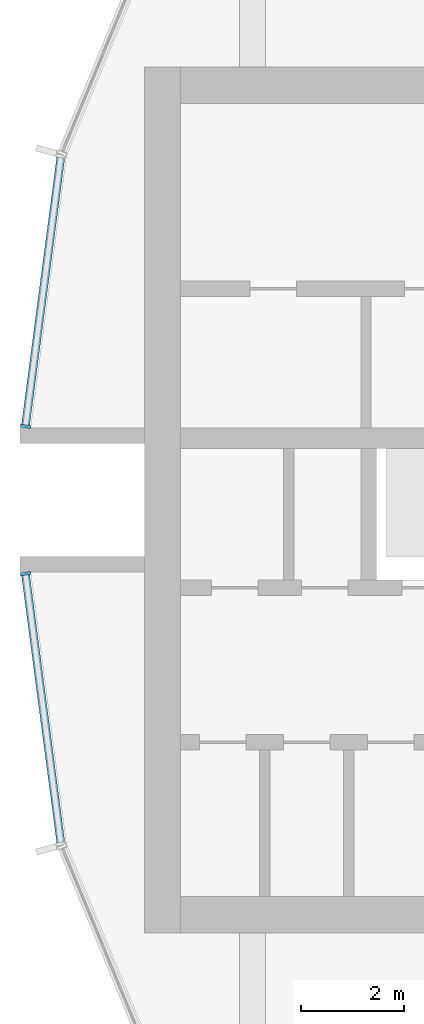
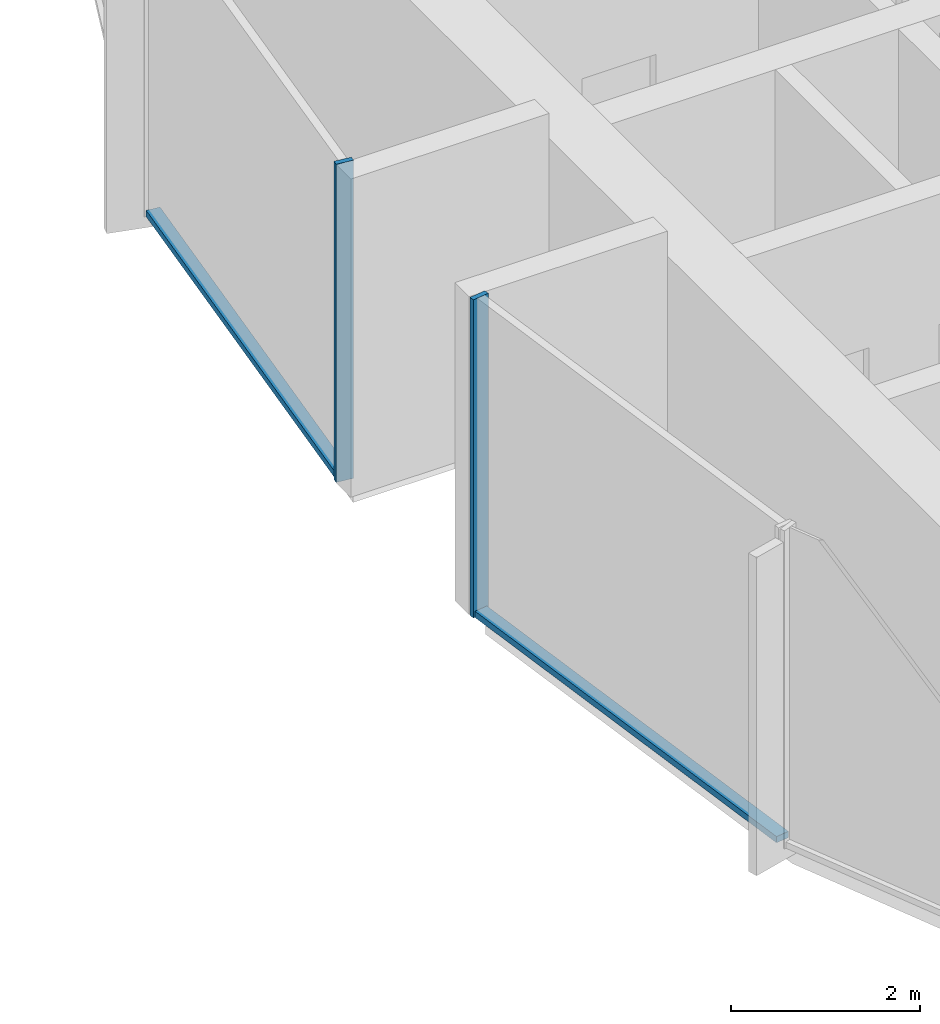
# One storey, part 3 of 15: 4 members, 2 elements without a shape of their own.
"""IFC4 building model written with IfcOpenShell, lengths in metres."""

from ifc_helpers import new_model, si_unit, direction, frame, origin, origin_2d, place, context, subcontext, project, spatial, rectangle, extrude, material, layer, layer_set, material_profile, profile_set, type_object, element, aggregate, save


model = new_model("IFC4")

# Units and contexts
model_context = context("Model", 3, precision=1e-05, world=origin(), true_north=direction((0.0, 1.0)))
body_context = subcontext(model_context, "Body", "Model", "MODEL_VIEW")
ifc_project = project(units=[si_unit("LENGTHUNIT", "METRE"), si_unit("AREAUNIT", "SQUARE_METRE"), si_unit("VOLUMEUNIT", "CUBIC_METRE"), si_unit("PLANEANGLEUNIT", "RADIAN"), si_unit("MASSUNIT", "GRAM", prefix="KILO")], contexts=[model_context])

# Site, building, storey
site_placement = place(None, origin())
site = spatial("IfcSite", under=ifc_project, at=site_placement, CompositionType="ELEMENT")
building_placement = place(site_placement, origin())
building = spatial("IfcBuilding", under=site, at=building_placement, Name="Torre Brocal", CompositionType="ELEMENT")
storey_placement = place(building_placement, frame((0.0, 0.0, 174.10009765625)))
storey = spatial("IfcBuildingStorey", under=building, at=storey_placement, Name="L40", CompositionType="ELEMENT", Elevation=174.10009765625)

# Curtain wall, member
ifc_material_1 = material(Name="Aluminium and glass", Category="aluminium")
ifc_layer = layer(ifc_material_1, 0.199951171875)
ifc_layer_set = layer_set([ifc_layer], Name="Aluminium and glass")
curtain_wall_type = type_object("IfcCurtainWallType", Name="CW-1B CURTAIN WALL 4100 HIGH", PredefinedType="NOTDEFINED", material=ifc_layer_set)
curtain_wall_1_placement = place(storey_placement, origin())
curtain_wall_1 = element("IfcCurtainWall", 1, at=curtain_wall_1_placement, inside=storey, type_object=curtain_wall_type, Name="CW-1B RUN 12", PredefinedType="NOTDEFINED")
ifc_material_2 = material(Name="Aluminium, dark anodised", Category="aluminium")
ifc_material_profile_1 = material_profile(ifc_material_2, rectangle(XDim=0.199951171875, YDim=0.06005859375, at=origin_2d()), Name="CW-1B MULLION 60X200")
ifc_profile_set_1 = profile_set([ifc_material_profile_1], Name="Aluminium, dark anodised")
member_type_1 = type_object("IfcMemberType", Name="CW-1B MULLION 60X200", PredefinedType="MULLION", material=ifc_profile_set_1)
member_1_placement = place(storey_placement, frame((54.2890625, 76.4296875, 0.0), z_axis=(0.0, 0.0, 1.0), x_axis=(0.991444861374, -0.13052619222, 0.0)))
member_1 = element("IfcMember", 2, at=member_1_placement, type_object=member_type_1, Name="CW1B-4 mullion 2", PredefinedType="MULLION", context=body_context, shape_type="SweptSolid", body=[
    extrude(rectangle(XDim=0.199951171875, YDim=0.06005859375, at=origin_2d()), origin(), (0.0, 0.0, 1.0), 4.099853515625),
])

curtain_wall_2_placement = place(storey_placement, origin())
curtain_wall_2 = element("IfcCurtainWall", 3, at=curtain_wall_2_placement, inside=storey, type_object=curtain_wall_type, Name="CW-1B RUN 13", PredefinedType="NOTDEFINED")
member_2_placement = place(storey_placement, frame((54.2890625, 73.5703125, 0.0), z_axis=(0.0, 0.0, 1.0), x_axis=(0.991444861374, 0.13052619222, 0.0)))
member_2 = element("IfcMember", 4, at=member_2_placement, type_object=member_type_1, Name="CW1B-4 mullion 1", PredefinedType="MULLION", context=body_context, shape_type="SweptSolid", body=[
    extrude(rectangle(XDim=0.199951171875, YDim=0.06005859375, at=origin_2d()), origin(), (0.0, 0.0, 1.0), 4.099853515625),
])

# Member
ifc_material_3 = material(Name="Aluminium, dark anodised", Category="aluminium")
ifc_material_profile_2 = material_profile(ifc_material_3, rectangle(XDim=0.159912109375, YDim=0.080078125, at=origin_2d()), Name="CW-1B TRANSOM 160X80")
ifc_profile_set_2 = profile_set([ifc_material_profile_2], Name="Aluminium, dark anodised")
member_type_2 = type_object("IfcMemberType", Name="CW-1B TRANSOM 160X80", PredefinedType="USERDEFINED", material=ifc_profile_set_2)
member_3_placement = place(storey_placement, frame((54.9755859375, 81.643798828125, 0.039794921875), z_axis=(-0.130542677827, -0.991442690863, 0.0), x_axis=(0.991442690863, -0.130542677827, 0.0)))
member_3 = element("IfcMember", 5, at=member_3_placement, type_object=member_type_2, Name="CW1B-4 transom 1.1", ObjectType="TRANSOM", PredefinedType="USERDEFINED", context=body_context, shape_type="SweptSolid", body=[
    extrude(rectangle(XDim=0.159912109375, YDim=0.080078125, at=origin_2d()), origin(), (0.0, 0.0, 1.0), 5.22900390625),
])

aggregate(curtain_wall_1, [member_1, member_3])

member_4_placement = place(storey_placement, frame((54.29296875, 73.54052734375, 0.039794921875), z_axis=(0.130542677827, -0.991442690863, 0.0), x_axis=(0.991442690863, 0.130542677827, 0.0)))
member_4 = element("IfcMember", 6, at=member_4_placement, type_object=member_type_2, Name="CW1B-4 transom 1.1", ObjectType="TRANSOM", PredefinedType="USERDEFINED", context=body_context, shape_type="SweptSolid", body=[
    extrude(rectangle(XDim=0.159912109375, YDim=0.080078125, at=origin_2d()), origin(), (0.0, 0.0, 1.0), 5.22900390625),
])

aggregate(curtain_wall_2, [member_2, member_4])

save(model, "model.ifc")
